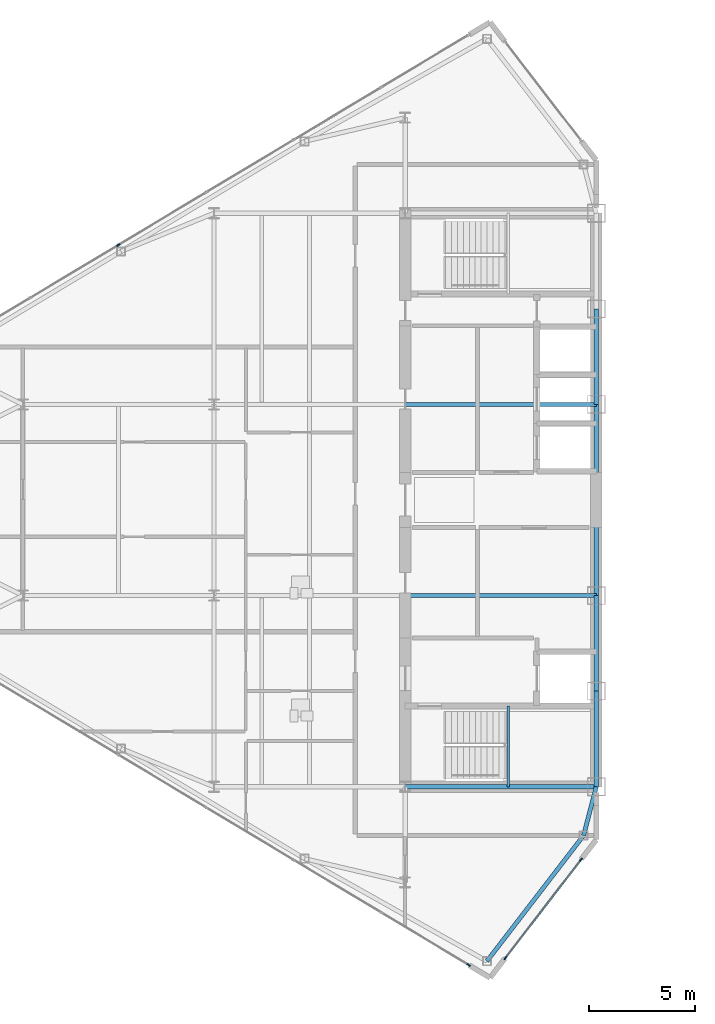
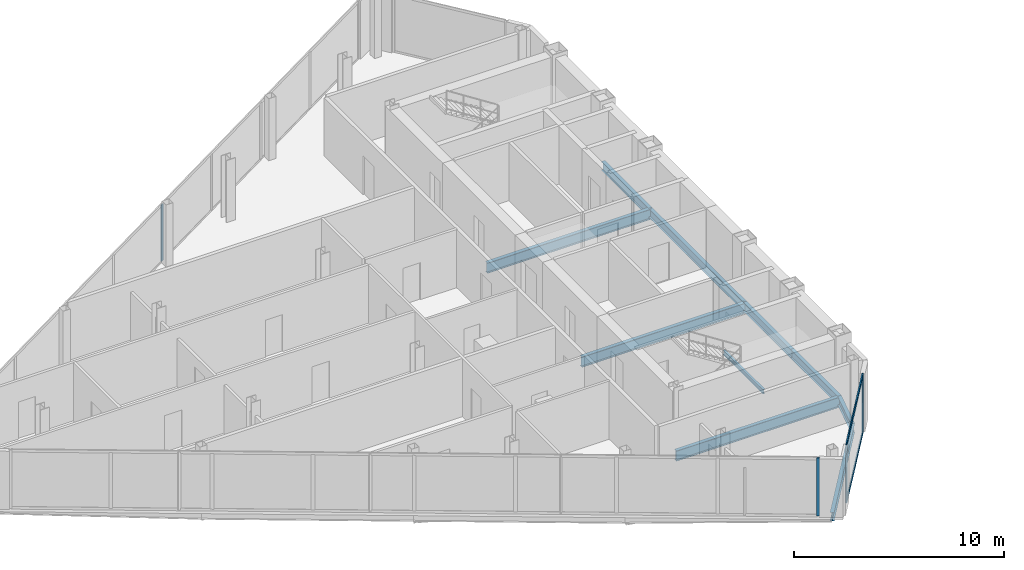
# One storey, part 8 of 26: 10 beams, 6 members, 3 elements without a shape of their own.
"""IFC4 building model written with IfcOpenShell, lengths in metres."""

from ifc_helpers import new_model, si_unit, direction, frame, origin, origin_2d, place, context, subcontext, project, spatial, rectangle, i_section, extrude, source, transform, mapped, material, layer, layer_set, material_profile, profile_set, type_object, type_shapes, element, aggregate, save


model = new_model("IFC4")

# Units and contexts
model_context = context("Model", 3, precision=1e-05, world=origin(), true_north=direction((0.0, 1.0)))
body_context = subcontext(model_context, "Body", "Model", "MODEL_VIEW")
ifc_project = project(units=[si_unit("LENGTHUNIT", "METRE"), si_unit("AREAUNIT", "SQUARE_METRE"), si_unit("VOLUMEUNIT", "CUBIC_METRE"), si_unit("PLANEANGLEUNIT", "RADIAN"), si_unit("MASSUNIT", "GRAM", prefix="KILO")], contexts=[model_context])

# Site, building, storey
site_placement = place(None, origin())
site = spatial("IfcSite", under=ifc_project, at=site_placement, CompositionType="ELEMENT")
building_placement = place(site_placement, origin())
building = spatial("IfcBuilding", under=site, at=building_placement, Name="Seokmaru Belvedere", CompositionType="ELEMENT")
storey_placement = place(building_placement, frame((0.0, 0.0, 199.5)))
storey = spatial("IfcBuildingStorey", under=building, at=storey_placement, Name="L53", CompositionType="ELEMENT", Elevation=199.5)

# Beams
ifc_material_1 = material(Name="Steel SM355 (355 MPa)", Category="steel")
ifc_material_profile_1 = material_profile(ifc_material_1, i_section(OverallWidth=0.199951171875, OverallDepth=0.5, WebThickness=0.010009765625, FlangeThickness=0.01611328125, at=origin_2d()), Name="H-500x200x10x16")
ifc_profile_set_1 = profile_set([ifc_material_profile_1], Name="Steel SM355 (355 MPa)")
beam_type_1 = type_object("IfcBeamType", Name="Perimeter Spandrel Beam H-500", PredefinedType="SPANDREL", material=ifc_profile_set_1)
shared_shape_1 = source(origin(), body_context, "Body", "SweptSolid", [
    extrude(i_section(OverallWidth=0.199951171875, OverallDepth=0.5, WebThickness=0.010009765625, FlangeThickness=0.01611328125, at=origin_2d()), origin(), (0.0, 0.0, 1.0), 4.5),
])
for number, where, z_axis, x_axis, name in (
    (1, (-27.5, -13.5, -0.469970703125), (0.0, 1.0, 0.0), (-1.0, 0.0, 0.0), "L53 W Portal Spine Spandrel 1"),
    (2, (-27.5, -9.0, -0.469970703125), (0.0, 1.0, 0.0), (-1.0, 0.0, 0.0), "L53 W Portal Spine Spandrel 2"),
    (3, (-27.5, 4.5, -0.469970703125), (0.0, 1.0, 0.0), (-1.0, 0.0, 0.0), "L53 W Portal Spine Spandrel 4"),
):
    element("IfcBeam", number, at=place(storey_placement, frame(where, z_axis=z_axis, x_axis=x_axis)), inside=storey, type_object=beam_type_1, Name=name, PredefinedType="SPANDREL", context=body_context, shape_type="MappedRepresentation", body=[
        mapped(shared_shape_1, transform((0.0, 0.0, 0.0), scale=1.0)),
    ])
shared_shape_2 = source(origin(), body_context, "Body", "SweptSolid", [
    extrude(i_section(OverallWidth=0.199951171875, OverallDepth=0.5, WebThickness=0.010009765625, FlangeThickness=0.01611328125, at=origin_2d()), origin(), (0.0, 0.0, 1.0), 9.0),
])
beam_1_placement = place(storey_placement, frame((-27.5, -4.5, -0.469970703125), z_axis=(0.0, 1.0, 0.0), x_axis=(-1.0, 0.0, 0.0)))
element("IfcBeam", 4, at=beam_1_placement, inside=storey, type_object=beam_type_1, Name="L53 W Portal Spine Spandrel 3", PredefinedType="SPANDREL", context=body_context, shape_type="MappedRepresentation", body=[
    mapped(shared_shape_2, transform((0.0, 0.0, 0.0), scale=1.0)),
])
ifc_material_profile_2 = material_profile(ifc_material_1, i_section(OverallWidth=0.199951171875, OverallDepth=0.60009765625, WebThickness=0.010986328125, FlangeThickness=0.01708984375, at=origin_2d()), Name="H-600x200x11x17")
ifc_profile_set_2 = profile_set([ifc_material_profile_2], Name="Steel SM355 (355 MPa)")
beam_type_2 = type_object("IfcBeamType", Name="Primary Floor Girder H-600", PredefinedType="BEAM", material=ifc_profile_set_2)
shared_shape_3 = source(origin(), body_context, "Body", "SweptSolid", [
    extrude(i_section(OverallWidth=0.199951171875, OverallDepth=0.60009765625, WebThickness=0.010986328125, FlangeThickness=0.01708984375, at=origin_2d()), origin(), (0.0, 0.0, 1.0), 9.0),
])
type_shapes(beam_type_2, [shared_shape_3])
for number, where, z_axis, x_axis, name in (
    (5, (-36.5, -13.5, -0.52001953125), (1.0, 0.0, 0.0), (0.0, 1.0, 0.0), "L53 W Core Tie Girder 1"),
    (6, (-36.5, -4.5, -0.52001953125), (1.0, 0.0, 0.0), (0.0, 1.0, 0.0), "L53 W Core Tie Girder 2"),
    (7, (-36.5, 4.5, -0.52001953125), (1.0, 0.0, 0.0), (0.0, 1.0, 0.0), "L53 W Core Tie Girder 3"),
):
    element("IfcBeam", number, at=place(storey_placement, frame(where, z_axis=z_axis, x_axis=x_axis)), inside=storey, type_object=beam_type_2, Name=name, PredefinedType="BEAM", context=body_context, shape_type="MappedRepresentation", body=[
        mapped(shared_shape_3, transform((0.0, 0.0, 0.0), scale=1.0)),
    ])
shared_shape_4 = source(origin(), body_context, "Body", "SweptSolid", [
    extrude(i_section(OverallWidth=0.199951171875, OverallDepth=0.5, WebThickness=0.010009765625, FlangeThickness=0.01611328125, at=origin_2d()), origin(), (0.0, 0.0, 1.0), 7.4619140625),
])
beam_2_placement = place(storey_placement, frame((-32.649658203125, -21.71044921875, -0.469970703125), z_axis=(0.609702854945, 0.792630070507, 0.0), x_axis=(-0.792630070507, 0.609702854945, 0.0)))
element("IfcBeam", 8, at=beam_2_placement, inside=storey, type_object=beam_type_1, Name="L53 W Shoulder Chamfer Spandrel S", PredefinedType="SPANDREL", context=body_context, shape_type="MappedRepresentation", body=[
    mapped(shared_shape_4, transform((0.0, 0.0, 0.0), scale=1.0)),
])
shared_shape_5 = source(origin(), body_context, "Body", "SweptSolid", [
    extrude(i_section(OverallWidth=0.199951171875, OverallDepth=0.5, WebThickness=0.010009765625, FlangeThickness=0.01611328125, at=origin_2d()), origin(), (0.0, 0.0, 1.0), 2.373046875),
])
type_shapes(beam_type_1, [shared_shape_1, shared_shape_2, shared_shape_4, shared_shape_5])
beam_3_placement = place(storey_placement, frame((-28.10009765625, -15.7958984375, -0.469970703125), z_axis=(0.252882558842, 0.967496982648, 0.0), x_axis=(-0.967496982648, 0.252882558842, 0.0)))
element("IfcBeam", 9, at=beam_3_placement, inside=storey, type_object=beam_type_1, Name="L53 W Shoulder Spine Spandrel S", PredefinedType="SPANDREL", context=body_context, shape_type="MappedRepresentation", body=[
    mapped(shared_shape_5, transform((0.0, 0.0, 0.0), scale=1.0)),
])

# Curtain wall, member
ifc_material_2 = material(Name="Bronze Triple Insulating Glass", Category="glass")
ifc_layer = layer(ifc_material_2, 0.179931640625)
ifc_layer_set = layer_set([ifc_layer], Name="Bronze Triple Insulating Glass")
curtain_wall_type = type_object("IfcCurtainWallType", Name="High-Rise Wind-Corner Curtain Wall System CW-5", PredefinedType="NOTDEFINED", material=ifc_layer_set)
curtain_wall_1_placement = place(storey_placement, origin())
curtain_wall_1 = element("IfcCurtainWall", 10, at=curtain_wall_1_placement, inside=storey, type_object=curtain_wall_type, Name="L53 Curtain Wall WF5", PredefinedType="NOTDEFINED")
ifc_material_3 = material(Name="Anodised Bronze Aluminium", Category="aluminium")
ifc_material_profile_3 = material_profile(ifc_material_3, rectangle(XDim=0.06494140625, YDim=0.179931640625, at=origin_2d()), Name="CW-M-65x180")
ifc_profile_set_3 = profile_set([ifc_material_profile_3], Name="Anodised Bronze Aluminium")
member_type_1 = type_object("IfcMemberType", Name="Bronze Unitised Mullion 65x180", PredefinedType="MULLION", material=ifc_profile_set_3)
shared_shape_6 = source(origin(), body_context, "Body", "SweptSolid", [
    extrude(rectangle(XDim=0.06494140625, YDim=0.179931640625, at=origin_2d()), origin(), (0.0, 0.0, 1.0), 3.3798828125),
])
member_1_placement = place(storey_placement, frame((-33.513916015625, -21.8916015625, 0.0), z_axis=(0.0, 0.0, 1.0), x_axis=(0.514494909364, 0.85749343335, 0.0)))
member_1 = element("IfcMember", 11, at=member_1_placement, type_object=member_type_1, Name="CW:L53:WF5 Mullion 9", PredefinedType="MULLION", context=body_context, shape_type="MappedRepresentation", body=[
    mapped(shared_shape_6, transform((0.0, 0.0, 0.0), scale=1.0)),
])
aggregate(curtain_wall_1, [member_1])

# Curtain wall, members
curtain_wall_2_placement = place(storey_placement, origin())
curtain_wall_2 = element("IfcCurtainWall", 12, at=curtain_wall_2_placement, inside=storey, type_object=curtain_wall_type, Name="L53 Curtain Wall WF6", PredefinedType="NOTDEFINED")
member_2_placement = place(storey_placement, frame((-31.779052734375, -21.562744140625, 0.0), z_axis=(0.0, 0.0, 1.0), x_axis=(-0.792631353244, 0.609701187349, 0.0)))
member_2 = element("IfcMember", 13, at=member_2_placement, type_object=member_type_1, Name="CW:L53:WF6 Mullion 1", PredefinedType="MULLION", context=body_context, shape_type="MappedRepresentation", body=[
    mapped(shared_shape_6, transform((0.0, 0.0, 0.0), scale=1.0)),
])
member_3_placement = place(storey_placement, frame((-28.220947265625, -16.937255859375, 0.0), z_axis=(0.0, 0.0, 1.0), x_axis=(-0.792631353244, 0.609701187349, 0.0)))
member_3 = element("IfcMember", 14, at=member_3_placement, type_object=member_type_1, Name="CW:L53:WF6 Mullion 2", PredefinedType="MULLION", context=body_context, shape_type="MappedRepresentation", body=[
    mapped(shared_shape_6, transform((0.0, 0.0, 0.0), scale=1.0)),
])

# Curtain wall, member
curtain_wall_3_placement = place(storey_placement, origin())
curtain_wall_3 = element("IfcCurtainWall", 15, at=curtain_wall_3_placement, inside=storey, type_object=curtain_wall_type, Name="L53 Curtain Wall WF3", PredefinedType="NOTDEFINED")
shared_shape_7 = source(origin(), body_context, "Body", "SweptSolid", [
    extrude(rectangle(XDim=0.06494140625, YDim=0.179931640625, at=origin_2d()), origin(), (0.0, 0.0, 1.0), 3.25),
])
type_shapes(member_type_1, [shared_shape_6, shared_shape_7])
member_4_placement = place(storey_placement, frame((-50.0, 12.0, 0.06494140625), z_axis=(0.0, 0.0, 1.0), x_axis=(0.514494909364, -0.85749343335, 0.0)))
member_4 = element("IfcMember", 16, at=member_4_placement, type_object=member_type_1, Name="CW:L53:WF3 Mullion 5", PredefinedType="MULLION", context=body_context, shape_type="MappedRepresentation", body=[
    mapped(shared_shape_7, transform((0.0, 0.0, 0.0), scale=1.0)),
])
aggregate(curtain_wall_3, [member_4])

# Member
ifc_material_profile_4 = material_profile(ifc_material_3, rectangle(XDim=0.06494140625, YDim=0.14990234375, at=origin_2d()), Name="CW-T-65x150")
ifc_profile_set_4 = profile_set([ifc_material_profile_4], Name="Anodised Bronze Aluminium")
member_type_2 = type_object("IfcMemberType", Name="Bronze Unitised Transom 65x150", PredefinedType="USERDEFINED", material=ifc_profile_set_4)
shared_shape_8 = source(origin(), body_context, "Body", "SweptSolid", [
    extrude(rectangle(XDim=0.06494140625, YDim=0.14990234375, at=origin_2d()), origin(), (0.0, 0.0, 1.0), 5.77099609375),
])
type_shapes(member_type_2, [shared_shape_8])
member_5_placement = place(storey_placement, frame((-31.75927734375, -21.537109375, 0.032470703125), z_axis=(0.60970258286, 0.792630279799, 0.0), x_axis=(-0.792630279799, 0.60970258286, 0.0)))
member_5 = element("IfcMember", 17, at=member_5_placement, type_object=member_type_2, Name="CW:L53:WF6 Continuous Transom 1", ObjectType="TRANSOM", PredefinedType="USERDEFINED", context=body_context, shape_type="MappedRepresentation", body=[
    mapped(shared_shape_8, transform((0.0, 0.0, 0.0), scale=1.0)),
])

member_6_placement = place(storey_placement, frame((-31.75927734375, -21.537109375, 3.347412109375), z_axis=(0.60970258286, 0.792630279799, 0.0), x_axis=(-0.792630279799, 0.60970258286, 0.0)))
member_6 = element("IfcMember", 18, at=member_6_placement, type_object=member_type_2, Name="CW:L53:WF6 Continuous Transom 2", ObjectType="TRANSOM", PredefinedType="USERDEFINED", context=body_context, shape_type="MappedRepresentation", body=[
    mapped(shared_shape_8, transform((0.0, 0.0, 0.0), scale=1.0)),
])

aggregate(curtain_wall_2, [member_2, member_3, member_5, member_6])

# Beam
ifc_material_profile_5 = material_profile(ifc_material_1, i_section(OverallWidth=0.125, OverallDepth=0.25, WebThickness=0.006103515625, FlangeThickness=0.009033203125, at=origin_2d()), Name="H-250x125x6x9")
ifc_profile_set_5 = profile_set([ifc_material_profile_5], Name="Steel SM355 (355 MPa)")
beam_type_3 = type_object("IfcBeamType", Name="Stair Mid-Landing Support Beam H-250", PredefinedType="JOIST", material=ifc_profile_set_5)
shared_shape_9 = source(origin(), body_context, "Body", "SweptSolid", [
    extrude(i_section(OverallWidth=0.125, OverallDepth=0.25, WebThickness=0.006103515625, FlangeThickness=0.009033203125, at=origin_2d()), origin(), (0.0, 0.0, 1.0), 3.800048828125),
])
type_shapes(beam_type_3, [shared_shape_9])
beam_4_placement = place(storey_placement, frame((-31.64990234375, -13.5, 1.47509765625), z_axis=(0.0, 1.0, 0.0), x_axis=(-1.0, 0.0, 0.0)))
element("IfcBeam", 19, at=beam_4_placement, inside=storey, type_object=beam_type_3, Name="L53 Stair ST-W1 Mid-Landing Support Beam 1", PredefinedType="JOIST", context=body_context, shape_type="MappedRepresentation", body=[
    mapped(shared_shape_9, transform((0.0, 0.0, 0.0), scale=1.0)),
])

save(model, "model.ifc")
